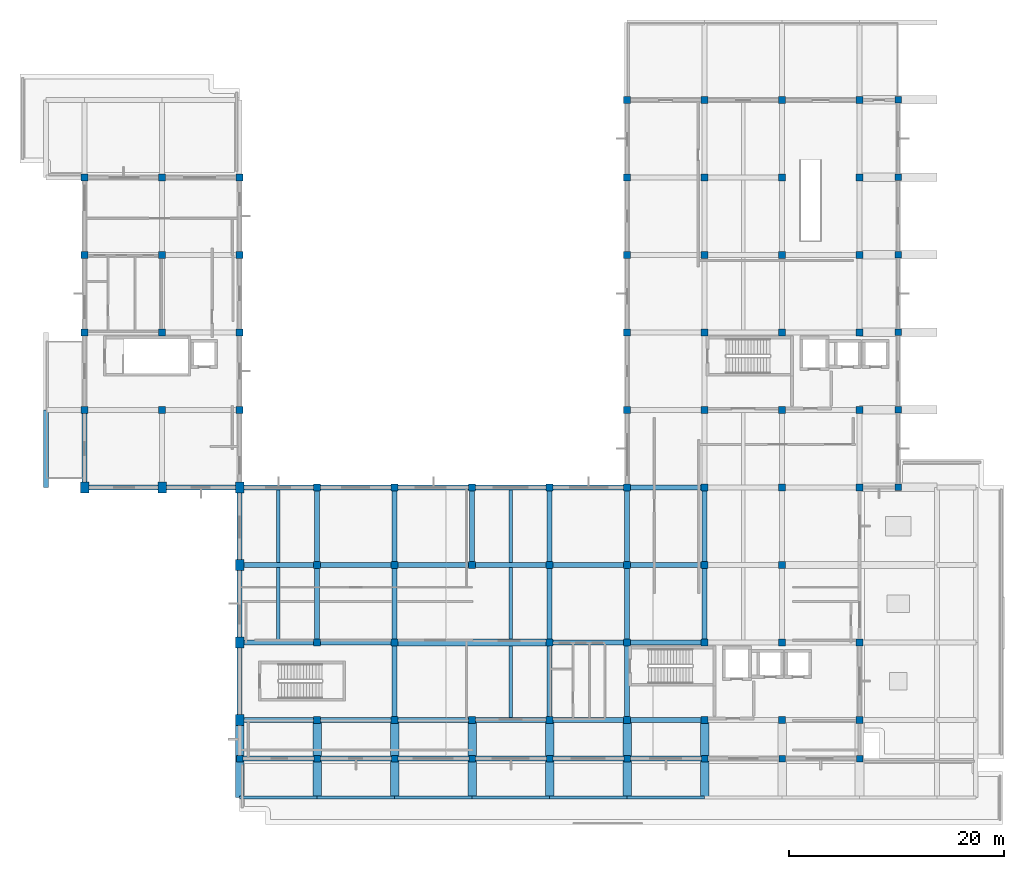
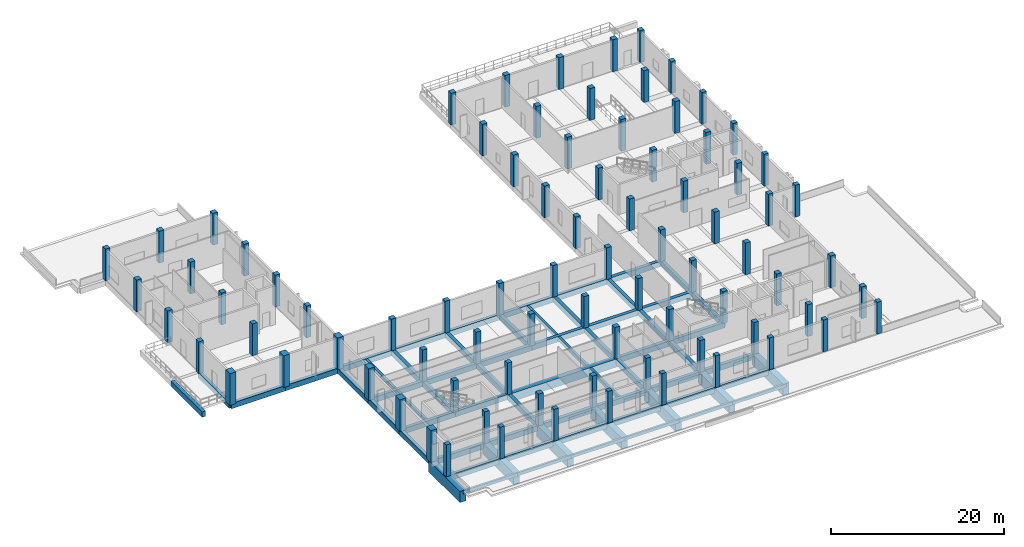
# One storey, part 1 of 16: 83 columns, 68 beams.
"""IFC4 building model written with IfcOpenShell, lengths in metres."""

from ifc_helpers import new_model, si_unit, direction, frame, origin, origin_2d, place, context, subcontext, project, spatial, rectangle, extrude, material, material_profile, profile_set, type_object, element, save


model = new_model("IFC4")

# Units and contexts
model_context = context("Model", 3, precision=1e-05, world=origin(), true_north=direction((0.0, 1.0)))
body_context = subcontext(model_context, "Body", "Model", "MODEL_VIEW")
ifc_project = project(units=[si_unit("LENGTHUNIT", "METRE"), si_unit("AREAUNIT", "SQUARE_METRE"), si_unit("VOLUMEUNIT", "CUBIC_METRE"), si_unit("PLANEANGLEUNIT", "RADIAN"), si_unit("MASSUNIT", "GRAM", prefix="KILO")], contexts=[model_context])

# Site, building, storey
site_placement = place(None, origin())
site = spatial("IfcSite", under=ifc_project, at=site_placement, CompositionType="ELEMENT")
building_placement = place(site_placement, origin())
building = spatial("IfcBuilding", under=site, at=building_placement, Name="Seraya Terrace Polytechnic", CompositionType="ELEMENT")
storey_placement = place(building_placement, frame((0.0, 0.0, 23.39990234375)))
storey = spatial("IfcBuildingStorey", under=building, at=storey_placement, Name="L05", CompositionType="ELEMENT", Elevation=23.39990234375)

# Columns
ifc_material = material(Name="Concrete C40/50", Category="concrete")
ifc_material_profile_1 = material_profile(ifc_material, rectangle(XDim=0.64990234375, YDim=0.64990234375, at=origin_2d()), Name="RC 650x650")
ifc_profile_set_1 = profile_set([ifc_material_profile_1], Name="Concrete C40/50")
column_type_1 = type_object("IfcColumnType", Name="C-08", PredefinedType="COLUMN", material=ifc_profile_set_1)
for number, where, z_axis, x_axis, name in (
    (1, (28.800048828125, 36.0, 0.0), (0.0, 0.0, 1.0), (1.0, 0.0, 0.0), "Column C-08 L05 (28.8, 36.0)"),
    (2, (28.800048828125, 43.199951171875, 0.0), (0.0, 0.0, 1.0), (1.0, 0.0, 0.0), "Column C-08 L05 (28.8, 43.2)"),
    (3, (28.800048828125, 50.39990234375, 0.0), (0.0, 0.0, 1.0), (1.0, 0.0, 0.0), "Column C-08 L05 (28.8, 50.4)"),
    (4, (28.800048828125, 57.60009765625, 0.0), (0.0, 0.0, 1.0), (1.0, 0.0, 0.0), "Column C-08 L05 (28.8, 57.6)"),
    (5, (36.0, 36.0, 0.0), (0.0, 0.0, 1.0), (1.0, 0.0, 0.0), "Column C-08 L05 (36.0, 36.0)"),
    (6, (36.0, 43.199951171875, 0.0), (0.0, 0.0, 1.0), (1.0, 0.0, 0.0), "Column C-08 L05 (36.0, 43.2)"),
    (7, (36.0, 50.39990234375, 0.0), (0.0, 0.0, 1.0), (1.0, 0.0, 0.0), "Column C-08 L05 (36.0, 50.4)"),
    (8, (36.0, 57.60009765625, 0.0), (0.0, 0.0, 1.0), (1.0, 0.0, 0.0), "Column C-08 L05 (36.0, 57.6)"),
    (9, (43.199951171875, 36.0, 0.0), (0.0, 0.0, 1.0), (1.0, 0.0, 0.0), "Column C-08 L05 (43.2, 36.0)"),
    (10, (43.199951171875, 43.199951171875, 0.0), (0.0, 0.0, 1.0), (1.0, 0.0, 0.0), "Column C-08 L05 (43.2, 43.2)"),
    (11, (43.199951171875, 50.39990234375, 0.0), (0.0, 0.0, 1.0), (1.0, 0.0, 0.0), "Column C-08 L05 (43.2, 50.4)"),
    (12, (43.199951171875, 57.60009765625, 0.0), (0.0, 0.0, 1.0), (1.0, 0.0, 0.0), "Column C-08 L05 (43.2, 57.6)"),
    (13, (50.39990234375, 7.199951171875, 0.0), (0.0, 0.0, 1.0), (1.0, 0.0, 0.0), "Column C-08 L05 (50.4, 7.2)"),
    (14, (50.39990234375, 14.39990234375, 0.0), (0.0, 0.0, 1.0), (1.0, 0.0, 0.0), "Column C-08 L05 (50.4, 14.4)"),
    (15, (50.39990234375, 21.60009765625, 0.0), (0.0, 0.0, 1.0), (1.0, 0.0, 0.0), "Column C-08 L05 (50.4, 21.6)"),
    (16, (50.39990234375, 28.800048828125, 0.0), (0.0, 0.0, 1.0), (1.0, 0.0, 0.0), "Column C-08 L05 (50.4, 28.8)"),
    (17, (57.60009765625, 7.199951171875, 0.0), (0.0, 0.0, 1.0), (1.0, 0.0, 0.0), "Column C-08 L05 (57.6, 7.2)"),
    (18, (57.60009765625, 14.39990234375, 0.0), (0.0, 0.0, 1.0), (1.0, 0.0, 0.0), "Column C-08 L05 (57.6, 14.4)"),
    (19, (57.60009765625, 21.60009765625, 0.0), (0.0, 0.0, 1.0), (1.0, 0.0, 0.0), "Column C-08 L05 (57.6, 21.6)"),
    (20, (57.60009765625, 28.800048828125, 0.0), (0.0, 0.0, 1.0), (1.0, 0.0, 0.0), "Column C-08 L05 (57.6, 28.8)"),
    (21, (64.800048828125, 7.199951171875, 0.0), (0.0, 0.0, 1.0), (1.0, 0.0, 0.0), "Column C-08 L05 (64.8, 7.2)"),
    (22, (64.800048828125, 21.60009765625, 0.0), (0.0, 0.0, 1.0), (1.0, 0.0, 0.0), "Column C-08 L05 (64.8, 21.6)"),
    (23, (64.800048828125, 28.800048828125, 0.0), (0.0, 0.0, 1.0), (1.0, 0.0, 0.0), "Column C-08 L05 (64.8, 28.8)"),
    (24, (72.0, 7.199951171875, 0.0), (0.0, 0.0, 1.0), (1.0, 0.0, 0.0), "Column C-08 L05 (72.0, 7.2)"),
    (25, (72.0, 14.39990234375, 0.0), (0.0, 0.0, 1.0), (1.0, 0.0, 0.0), "Column C-08 L05 (72.0, 14.4)"),
    (26, (72.0, 21.60009765625, 0.0), (0.0, 0.0, 1.0), (1.0, 0.0, 0.0), "Column C-08 L05 (72.0, 21.6)"),
    (27, (72.0, 28.800048828125, 0.0), (0.0, 0.0, 1.0), (1.0, 0.0, 0.0), "Column C-08 L05 (72.0, 28.8)"),
    (28, (79.199951171875, 7.199951171875, 0.0), (0.0, 0.0, 1.0), (1.0, 0.0, 0.0), "Column C-08 L05 (79.2, 7.2)"),
    (29, (79.199951171875, 14.39990234375, 0.0), (0.0, 0.0, 1.0), (1.0, 0.0, 0.0), "Column C-08 L05 (79.2, 14.4)"),
    (30, (79.199951171875, 21.60009765625, 0.0), (0.0, 0.0, 1.0), (1.0, 0.0, 0.0), "Column C-08 L05 (79.2, 21.6)"),
    (31, (79.199951171875, 28.800048828125, 0.0), (0.0, 0.0, 1.0), (1.0, 0.0, 0.0), "Column C-08 L05 (79.2, 28.8)"),
    (32, (79.199951171875, 36.0, 0.0), (0.0, 0.0, 1.0), (1.0, 0.0, 0.0), "Column C-08 L05 (79.2, 36.0)"),
    (33, (79.199951171875, 43.199951171875, 0.0), (0.0, 0.0, 1.0), (1.0, 0.0, 0.0), "Column C-08 L05 (79.2, 43.2)"),
    (34, (79.199951171875, 50.39990234375, 0.0), (0.0, 0.0, 1.0), (1.0, 0.0, 0.0), "Column C-08 L05 (79.2, 50.4)"),
    (35, (79.199951171875, 57.60009765625, 0.0), (0.0, 0.0, 1.0), (1.0, 0.0, 0.0), "Column C-08 L05 (79.2, 57.6)"),
    (36, (79.199951171875, 64.800048828125, 0.0), (0.0, 0.0, 1.0), (1.0, 0.0, 0.0), "Column C-08 L05 (79.2, 64.8)"),
    (37, (86.39990234375, 7.199951171875, 0.0), (0.0, 0.0, 1.0), (1.0, 0.0, 0.0), "Column C-08 L05 (86.4, 7.2)"),
    (38, (86.39990234375, 14.39990234375, 0.0), (0.0, 0.0, 1.0), (1.0, 0.0, 0.0), "Column C-08 L05 (86.4, 14.4)"),
    (39, (86.39990234375, 21.60009765625, 0.0), (0.0, 0.0, 1.0), (1.0, 0.0, 0.0), "Column C-08 L05 (86.4, 21.6)"),
    (40, (86.39990234375, 28.800048828125, 0.0), (0.0, 0.0, 1.0), (1.0, 0.0, 0.0), "Column C-08 L05 (86.4, 28.8)"),
    (41, (86.39990234375, 36.0, 0.0), (0.0, 0.0, 1.0), (1.0, 0.0, 0.0), "Column C-08 L05 (86.4, 36.0)"),
    (42, (86.39990234375, 43.199951171875, 0.0), (0.0, 0.0, 1.0), (1.0, 0.0, 0.0), "Column C-08 L05 (86.4, 43.2)"),
    (43, (86.39990234375, 50.39990234375, 0.0), (0.0, 0.0, 1.0), (1.0, 0.0, 0.0), "Column C-08 L05 (86.4, 50.4)"),
    (44, (86.39990234375, 57.60009765625, 0.0), (0.0, 0.0, 1.0), (1.0, 0.0, 0.0), "Column C-08 L05 (86.4, 57.6)"),
    (45, (86.39990234375, 64.800048828125, 0.0), (0.0, 0.0, 1.0), (1.0, 0.0, 0.0), "Column C-08 L05 (86.4, 64.8)"),
    (46, (93.60009765625, 7.199951171875, 0.0), (0.0, 0.0, 1.0), (1.0, 0.0, 0.0), "Column C-08 L05 (93.6, 7.2)"),
    (47, (93.60009765625, 14.39990234375, 0.0), (0.0, 0.0, 1.0), (1.0, 0.0, 0.0), "Column C-08 L05 (93.6, 14.4)"),
    (48, (93.60009765625, 21.60009765625, 0.0), (0.0, 0.0, 1.0), (1.0, 0.0, 0.0), "Column C-08 L05 (93.6, 21.6)"),
    (49, (93.60009765625, 28.800048828125, 0.0), (0.0, 0.0, 1.0), (1.0, 0.0, 0.0), "Column C-08 L05 (93.6, 28.8)"),
    (50, (93.60009765625, 36.0, 0.0), (0.0, 0.0, 1.0), (1.0, 0.0, 0.0), "Column C-08 L05 (93.6, 36.0)"),
    (51, (93.60009765625, 43.199951171875, 0.0), (0.0, 0.0, 1.0), (1.0, 0.0, 0.0), "Column C-08 L05 (93.6, 43.2)"),
    (52, (93.60009765625, 50.39990234375, 0.0), (0.0, 0.0, 1.0), (1.0, 0.0, 0.0), "Column C-08 L05 (93.6, 50.4)"),
    (53, (93.60009765625, 57.60009765625, 0.0), (0.0, 0.0, 1.0), (1.0, 0.0, 0.0), "Column C-08 L05 (93.6, 57.6)"),
    (54, (93.60009765625, 64.800048828125, 0.0), (0.0, 0.0, 1.0), (1.0, 0.0, 0.0), "Column C-08 L05 (93.6, 64.8)"),
    (55, (100.800048828125, 7.199951171875, 0.0), (0.0, 0.0, 1.0), (1.0, 0.0, 0.0), "Column C-08 L05 (100.8, 7.2)"),
    (56, (100.800048828125, 14.39990234375, 0.0), (0.0, 0.0, 1.0), (1.0, 0.0, 0.0), "Column C-08 L05 (100.8, 14.4)"),
    (57, (100.800048828125, 28.800048828125, 0.0), (0.0, 0.0, 1.0), (1.0, 0.0, 0.0), "Column C-08 L05 (100.8, 28.8)"),
    (58, (100.800048828125, 36.0, 0.0), (0.0, 0.0, 1.0), (1.0, 0.0, 0.0), "Column C-08 L05 (100.8, 36.0)"),
    (59, (100.800048828125, 43.199951171875, 0.0), (0.0, 0.0, 1.0), (1.0, 0.0, 0.0), "Column C-08 L05 (100.8, 43.2)"),
    (60, (100.800048828125, 50.39990234375, 0.0), (0.0, 0.0, 1.0), (1.0, 0.0, 0.0), "Column C-08 L05 (100.8, 50.4)"),
    (61, (100.800048828125, 57.60009765625, 0.0), (0.0, 0.0, 1.0), (1.0, 0.0, 0.0), "Column C-08 L05 (100.8, 57.6)"),
    (62, (100.800048828125, 64.800048828125, 0.0), (0.0, 0.0, 1.0), (1.0, 0.0, 0.0), "Column C-08 L05 (100.8, 64.8)"),
):
    element("IfcColumn", number, at=place(storey_placement, frame(where, z_axis=z_axis, x_axis=x_axis)), inside=storey, type_object=column_type_1, Name=name, PredefinedType="COLUMN", context=body_context, shape_type="SweptSolid", body=[
        extrude(rectangle(XDim=0.64990234375, YDim=0.64990234375, at=origin_2d()), origin(), (0.0, 0.0, 1.0), 4.5),
    ])
ifc_material_profile_2 = material_profile(ifc_material, rectangle(XDim=0.60009765625, YDim=0.60009765625, at=origin_2d()), Name="RC 600x600")
ifc_profile_set_2 = profile_set([ifc_material_profile_2], Name="Concrete C40/50")
column_type_2 = type_object("IfcColumnType", Name="C-09", PredefinedType="COLUMN", material=ifc_profile_set_2)
for number, where, z_axis, x_axis, name in (
    (63, (43.199951171875, 3.60009765625, 0.0), (0.0, 0.0, 1.0), (1.0, 0.0, 0.0), "Column C-09 L05 (43.2, 3.6)"),
    (64, (50.39990234375, 3.60009765625, 0.0), (0.0, 0.0, 1.0), (1.0, 0.0, 0.0), "Column C-09 L05 (50.4, 3.6)"),
    (65, (57.60009765625, 3.60009765625, 0.0), (0.0, 0.0, 1.0), (1.0, 0.0, 0.0), "Column C-09 L05 (57.6, 3.6)"),
    (66, (64.800048828125, 3.60009765625, 0.0), (0.0, 0.0, 1.0), (1.0, 0.0, 0.0), "Column C-09 L05 (64.8, 3.6)"),
    (67, (72.0, 3.60009765625, 0.0), (0.0, 0.0, 1.0), (1.0, 0.0, 0.0), "Column C-09 L05 (72.0, 3.6)"),
    (68, (79.199951171875, 3.60009765625, 0.0), (0.0, 0.0, 1.0), (1.0, 0.0, 0.0), "Column C-09 L05 (79.2, 3.6)"),
    (69, (86.39990234375, 3.60009765625, 0.0), (0.0, 0.0, 1.0), (1.0, 0.0, 0.0), "Column C-09 L05 (86.4, 3.6)"),
    (70, (93.60009765625, 3.60009765625, 0.0), (0.0, 0.0, 1.0), (1.0, 0.0, 0.0), "Column C-09 L05 (93.6, 3.6)"),
    (71, (100.800048828125, 3.60009765625, 0.0), (0.0, 0.0, 1.0), (1.0, 0.0, 0.0), "Column C-09 L05 (100.8, 3.6)"),
    (72, (104.39990234375, 28.800048828125, 0.0), (0.0, 0.0, 1.0), (1.0, 0.0, 0.0), "Column C-09 L05 (104.4, 28.8)"),
    (73, (104.39990234375, 36.0, 0.0), (0.0, 0.0, 1.0), (1.0, 0.0, 0.0), "Column C-09 L05 (104.4, 36.0)"),
    (74, (104.39990234375, 43.199951171875, 0.0), (0.0, 0.0, 1.0), (1.0, 0.0, 0.0), "Column C-09 L05 (104.4, 43.2)"),
    (75, (104.39990234375, 50.39990234375, 0.0), (0.0, 0.0, 1.0), (1.0, 0.0, 0.0), "Column C-09 L05 (104.4, 50.4)"),
    (76, (104.39990234375, 57.60009765625, 0.0), (0.0, 0.0, 1.0), (1.0, 0.0, 0.0), "Column C-09 L05 (104.4, 57.6)"),
    (77, (104.39990234375, 64.800048828125, 0.0), (0.0, 0.0, 1.0), (1.0, 0.0, 0.0), "Column C-09 L05 (104.4, 64.8)"),
):
    element("IfcColumn", number, at=place(storey_placement, frame(where, z_axis=z_axis, x_axis=x_axis)), inside=storey, type_object=column_type_2, Name=name, PredefinedType="COLUMN", context=body_context, shape_type="SweptSolid", body=[
        extrude(rectangle(XDim=0.60009765625, YDim=0.60009765625, at=origin_2d()), origin(), (0.0, 0.0, 1.0), 4.5),
    ])
ifc_material_profile_3 = material_profile(ifc_material, rectangle(XDim=0.800048828125, YDim=1.0, at=origin_2d()), Name="RC 800x1000")
ifc_profile_set_3 = profile_set([ifc_material_profile_3], Name="Concrete C40/50")
column_type_3 = type_object("IfcColumnType", Name="C-14", PredefinedType="COLUMN", material=ifc_profile_set_3)
for number, where, z_axis, x_axis, name in (
    (78, (28.800048828125, 28.800048828125, 0.0), (0.0, 0.0, 1.0), (1.0, 0.0, 0.0), "Column C-14 L05 (28.8, 28.8)"),
    (79, (36.0, 28.800048828125, 0.0), (0.0, 0.0, 1.0), (1.0, 0.0, 0.0), "Column C-14 L05 (36.0, 28.8)"),
    (80, (43.199951171875, 7.199951171875, 0.0), (0.0, 0.0, 1.0), (1.0, 0.0, 0.0), "Column C-14 L05 (43.2, 7.2)"),
    (81, (43.199951171875, 14.39990234375, 0.0), (0.0, 0.0, 1.0), (1.0, 0.0, 0.0), "Column C-14 L05 (43.2, 14.4)"),
    (82, (43.199951171875, 21.60009765625, 0.0), (0.0, 0.0, 1.0), (1.0, 0.0, 0.0), "Column C-14 L05 (43.2, 21.6)"),
    (83, (43.199951171875, 28.800048828125, 0.0), (0.0, 0.0, 1.0), (1.0, 0.0, 0.0), "Column C-14 L05 (43.2, 28.8)"),
):
    element("IfcColumn", number, at=place(storey_placement, frame(where, z_axis=z_axis, x_axis=x_axis)), inside=storey, type_object=column_type_3, Name=name, PredefinedType="COLUMN", context=body_context, shape_type="SweptSolid", body=[
        extrude(rectangle(XDim=0.800048828125, YDim=1.0, at=origin_2d()), origin(), (0.0, 0.0, 1.0), 4.5),
    ])

# Beams
ifc_material_profile_4 = material_profile(ifc_material, rectangle(XDim=0.64990234375, YDim=1.14990234375, at=origin_2d()), Name="RC 650x1150")
ifc_profile_set_4 = profile_set([ifc_material_profile_4], Name="Concrete C40/50")
beam_type_1 = type_object("IfcBeamType", Name="BG-02", PredefinedType="USERDEFINED", material=ifc_profile_set_4)
beam_1_placement = place(storey_placement, frame((57.60009765625, 14.39990234375, -0.574951171875), z_axis=(1.0, 0.0, 0.0), x_axis=(0.0, 1.0, 0.0)))
element("IfcBeam", 84, at=beam_1_placement, inside=storey, type_object=beam_type_1, Name="Beam BG-02 L05 X (57.6..72.0, 14.4)", ObjectType="GIRDER", PredefinedType="USERDEFINED", context=body_context, shape_type="SweptSolid", body=[
    extrude(rectangle(XDim=0.64990234375, YDim=1.14990234375, at=origin_2d()), origin(), (0.0, 0.0, 1.0), 14.39990234375),
])
ifc_material_profile_5 = material_profile(ifc_material, rectangle(XDim=0.449951171875, YDim=0.75, at=origin_2d()), Name="RC 450x750")
ifc_profile_set_5 = profile_set([ifc_material_profile_5], Name="Concrete C40/50")
beam_type_2 = type_object("IfcBeamType", Name="BM-08", PredefinedType="BEAM", material=ifc_profile_set_5)
beam_2_placement = place(storey_placement, frame((43.199951171875, 3.60009765625, -0.375), z_axis=(1.0, 0.0, 0.0), x_axis=(0.0, 1.0, 0.0)))
element("IfcBeam", 85, at=beam_2_placement, inside=storey, type_object=beam_type_2, Name="Beam BM-08 L05 X (43.2..50.4, 3.6)", PredefinedType="BEAM", context=body_context, shape_type="SweptSolid", body=[
    extrude(rectangle(XDim=0.449951171875, YDim=0.75, at=origin_2d()), origin(), (0.0, 0.0, 1.0), 7.199951171875),
])
beam_3_placement = place(storey_placement, frame((50.39990234375, 3.60009765625, -0.375), z_axis=(1.0, 0.0, 0.0), x_axis=(0.0, 1.0, 0.0)))
element("IfcBeam", 86, at=beam_3_placement, inside=storey, type_object=beam_type_2, Name="Beam BM-08 L05 X (50.4..57.6, 3.6)", PredefinedType="BEAM", context=body_context, shape_type="SweptSolid", body=[
    extrude(rectangle(XDim=0.449951171875, YDim=0.75, at=origin_2d()), origin(), (0.0, 0.0, 1.0), 7.2001953125),
])
for number, where, z_axis, x_axis, name in (
    (87, (57.60009765625, 3.60009765625, -0.375), (1.0, 0.0, 0.0), (0.0, 1.0, 0.0), "Beam BM-08 L05 X (57.6..64.8, 3.6)"),
    (88, (64.800048828125, 3.60009765625, -0.375), (1.0, 0.0, 0.0), (0.0, 1.0, 0.0), "Beam BM-08 L05 X (64.8..72.0, 3.6)"),
    (89, (72.0, 3.60009765625, -0.375), (1.0, 0.0, 0.0), (0.0, 1.0, 0.0), "Beam BM-08 L05 X (72.0..79.2, 3.6)"),
    (90, (79.199951171875, 3.60009765625, -0.375), (1.0, 0.0, 0.0), (0.0, 1.0, 0.0), "Beam BM-08 L05 X (79.2..86.4, 3.6)"),
    (91, (43.199951171875, 7.199951171875, -0.375), (1.0, 0.0, 0.0), (0.0, 1.0, 0.0), "Beam BM-08 L05 X (43.2..50.4, 7.2)"),
):
    element("IfcBeam", number, at=place(storey_placement, frame(where, z_axis=z_axis, x_axis=x_axis)), inside=storey, type_object=beam_type_2, Name=name, PredefinedType="BEAM", context=body_context, shape_type="SweptSolid", body=[
        extrude(rectangle(XDim=0.449951171875, YDim=0.75, at=origin_2d()), origin(), (0.0, 0.0, 1.0), 7.199951171875),
    ])
beam_4_placement = place(storey_placement, frame((50.39990234375, 7.199951171875, -0.375), z_axis=(1.0, 0.0, 0.0), x_axis=(0.0, 1.0, 0.0)))
element("IfcBeam", 92, at=beam_4_placement, inside=storey, type_object=beam_type_2, Name="Beam BM-08 L05 X (50.4..57.6, 7.2)", PredefinedType="BEAM", context=body_context, shape_type="SweptSolid", body=[
    extrude(rectangle(XDim=0.449951171875, YDim=0.75, at=origin_2d()), origin(), (0.0, 0.0, 1.0), 7.2001953125),
])
for number, where, z_axis, x_axis, name in (
    (93, (57.60009765625, 7.199951171875, -0.375), (1.0, 0.0, 0.0), (0.0, 1.0, 0.0), "Beam BM-08 L05 X (57.6..64.8, 7.2)"),
    (94, (64.800048828125, 7.199951171875, -0.375), (1.0, 0.0, 0.0), (0.0, 1.0, 0.0), "Beam BM-08 L05 X (64.8..72.0, 7.2)"),
    (95, (72.0, 7.199951171875, -0.375), (1.0, 0.0, 0.0), (0.0, 1.0, 0.0), "Beam BM-08 L05 X (72.0..79.2, 7.2)"),
    (96, (79.199951171875, 7.199951171875, -0.375), (1.0, 0.0, 0.0), (0.0, 1.0, 0.0), "Beam BM-08 L05 X (79.2..86.4, 7.2)"),
    (97, (43.199951171875, 14.39990234375, -0.375), (1.0, 0.0, 0.0), (0.0, 1.0, 0.0), "Beam BM-08 L05 X (43.2..50.4, 14.4)"),
):
    element("IfcBeam", number, at=place(storey_placement, frame(where, z_axis=z_axis, x_axis=x_axis)), inside=storey, type_object=beam_type_2, Name=name, PredefinedType="BEAM", context=body_context, shape_type="SweptSolid", body=[
        extrude(rectangle(XDim=0.449951171875, YDim=0.75, at=origin_2d()), origin(), (0.0, 0.0, 1.0), 7.199951171875),
    ])
beam_5_placement = place(storey_placement, frame((50.39990234375, 14.39990234375, -0.375), z_axis=(1.0, 0.0, 0.0), x_axis=(0.0, 1.0, 0.0)))
element("IfcBeam", 98, at=beam_5_placement, inside=storey, type_object=beam_type_2, Name="Beam BM-08 L05 X (50.4..57.6, 14.4)", PredefinedType="BEAM", context=body_context, shape_type="SweptSolid", body=[
    extrude(rectangle(XDim=0.449951171875, YDim=0.75, at=origin_2d()), origin(), (0.0, 0.0, 1.0), 7.2001953125),
])
for number, where, z_axis, x_axis, name in (
    (99, (72.0, 14.39990234375, -0.375), (1.0, 0.0, 0.0), (0.0, 1.0, 0.0), "Beam BM-08 L05 X (72.0..79.2, 14.4)"),
    (100, (79.199951171875, 14.39990234375, -0.375), (1.0, 0.0, 0.0), (0.0, 1.0, 0.0), "Beam BM-08 L05 X (79.2..86.4, 14.4)"),
    (101, (43.199951171875, 21.60009765625, -0.375), (1.0, 0.0, 0.0), (0.0, 1.0, 0.0), "Beam BM-08 L05 X (43.2..50.4, 21.6)"),
):
    element("IfcBeam", number, at=place(storey_placement, frame(where, z_axis=z_axis, x_axis=x_axis)), inside=storey, type_object=beam_type_2, Name=name, PredefinedType="BEAM", context=body_context, shape_type="SweptSolid", body=[
        extrude(rectangle(XDim=0.449951171875, YDim=0.75, at=origin_2d()), origin(), (0.0, 0.0, 1.0), 7.199951171875),
    ])
beam_6_placement = place(storey_placement, frame((50.39990234375, 21.60009765625, -0.375), z_axis=(1.0, 0.0, 0.0), x_axis=(0.0, 1.0, 0.0)))
element("IfcBeam", 102, at=beam_6_placement, inside=storey, type_object=beam_type_2, Name="Beam BM-08 L05 X (50.4..57.6, 21.6)", PredefinedType="BEAM", context=body_context, shape_type="SweptSolid", body=[
    extrude(rectangle(XDim=0.449951171875, YDim=0.75, at=origin_2d()), origin(), (0.0, 0.0, 1.0), 7.2001953125),
])
for number, where, z_axis, x_axis, name in (
    (103, (57.60009765625, 21.60009765625, -0.375), (1.0, 0.0, 0.0), (0.0, 1.0, 0.0), "Beam BM-08 L05 X (57.6..64.8, 21.6)"),
    (104, (64.800048828125, 21.60009765625, -0.375), (1.0, 0.0, 0.0), (0.0, 1.0, 0.0), "Beam BM-08 L05 X (64.8..72.0, 21.6)"),
    (105, (72.0, 21.60009765625, -0.375), (1.0, 0.0, 0.0), (0.0, 1.0, 0.0), "Beam BM-08 L05 X (72.0..79.2, 21.6)"),
    (106, (79.199951171875, 21.60009765625, -0.375), (1.0, 0.0, 0.0), (0.0, 1.0, 0.0), "Beam BM-08 L05 X (79.2..86.4, 21.6)"),
    (107, (28.800048828125, 28.800048828125, -0.375), (1.0, 0.0, 0.0), (0.0, 1.0, 0.0), "Beam BM-08 L05 X (28.8..36.0, 28.8)"),
    (108, (36.0, 28.800048828125, -0.375), (1.0, 0.0, 0.0), (0.0, 1.0, 0.0), "Beam BM-08 L05 X (36.0..43.2, 28.8)"),
    (109, (43.199951171875, 28.800048828125, -0.375), (1.0, 0.0, 0.0), (0.0, 1.0, 0.0), "Beam BM-08 L05 X (43.2..50.4, 28.8)"),
):
    element("IfcBeam", number, at=place(storey_placement, frame(where, z_axis=z_axis, x_axis=x_axis)), inside=storey, type_object=beam_type_2, Name=name, PredefinedType="BEAM", context=body_context, shape_type="SweptSolid", body=[
        extrude(rectangle(XDim=0.449951171875, YDim=0.75, at=origin_2d()), origin(), (0.0, 0.0, 1.0), 7.199951171875),
    ])
beam_7_placement = place(storey_placement, frame((50.39990234375, 28.800048828125, -0.375), z_axis=(1.0, 0.0, 0.0), x_axis=(0.0, 1.0, 0.0)))
element("IfcBeam", 110, at=beam_7_placement, inside=storey, type_object=beam_type_2, Name="Beam BM-08 L05 X (50.4..57.6, 28.8)", PredefinedType="BEAM", context=body_context, shape_type="SweptSolid", body=[
    extrude(rectangle(XDim=0.449951171875, YDim=0.75, at=origin_2d()), origin(), (0.0, 0.0, 1.0), 7.2001953125),
])
for number, where, z_axis, x_axis, name in (
    (111, (57.60009765625, 28.800048828125, -0.375), (1.0, 0.0, 0.0), (0.0, 1.0, 0.0), "Beam BM-08 L05 X (57.6..64.8, 28.8)"),
    (112, (64.800048828125, 28.800048828125, -0.375), (1.0, 0.0, 0.0), (0.0, 1.0, 0.0), "Beam BM-08 L05 X (64.8..72.0, 28.8)"),
    (113, (72.0, 28.800048828125, -0.375), (1.0, 0.0, 0.0), (0.0, 1.0, 0.0), "Beam BM-08 L05 X (72.0..79.2, 28.8)"),
    (114, (79.199951171875, 28.800048828125, -0.375), (1.0, 0.0, 0.0), (0.0, 1.0, 0.0), "Beam BM-08 L05 X (79.2..86.4, 28.8)"),
    (115, (25.199951171875, 28.800048828125, -0.375), (0.0, 1.0, 0.0), (-1.0, 0.0, 0.0), "Beam BM-08 L05 Y (25.2, 28.8..36.0)"),
    (116, (28.800048828125, 28.800048828125, -0.375), (0.0, 1.0, 0.0), (-1.0, 0.0, 0.0), "Beam BM-08 L05 Y (28.8, 28.8..36.0)"),
    (117, (43.199951171875, 7.199951171875, -0.375), (0.0, 1.0, 0.0), (-1.0, 0.0, 0.0), "Beam BM-08 L05 Y (43.2, 7.2..14.4)"),
):
    element("IfcBeam", number, at=place(storey_placement, frame(where, z_axis=z_axis, x_axis=x_axis)), inside=storey, type_object=beam_type_2, Name=name, PredefinedType="BEAM", context=body_context, shape_type="SweptSolid", body=[
        extrude(rectangle(XDim=0.449951171875, YDim=0.75, at=origin_2d()), origin(), (0.0, 0.0, 1.0), 7.199951171875),
    ])
beam_8_placement = place(storey_placement, frame((43.199951171875, 14.39990234375, -0.375), z_axis=(0.0, 1.0, 0.0), x_axis=(-1.0, 0.0, 0.0)))
element("IfcBeam", 118, at=beam_8_placement, inside=storey, type_object=beam_type_2, Name="Beam BM-08 L05 Y (43.2, 14.4..21.6)", PredefinedType="BEAM", context=body_context, shape_type="SweptSolid", body=[
    extrude(rectangle(XDim=0.449951171875, YDim=0.75, at=origin_2d()), origin(), (0.0, 0.0, 1.0), 7.2001953125),
])
beam_9_placement = place(storey_placement, frame((43.199951171875, 21.60009765625, -0.375), z_axis=(0.0, 1.0, 0.0), x_axis=(-1.0, 0.0, 0.0)))
element("IfcBeam", 119, at=beam_9_placement, inside=storey, type_object=beam_type_2, Name="Beam BM-08 L05 Y (43.2, 21.6..28.8)", PredefinedType="BEAM", context=body_context, shape_type="SweptSolid", body=[
    extrude(rectangle(XDim=0.449951171875, YDim=0.75, at=origin_2d()), origin(), (0.0, 0.0, 1.0), 7.199951171875),
])
beam_10_placement = place(storey_placement, frame((50.39990234375, 14.39990234375, -0.375), z_axis=(0.0, 1.0, 0.0), x_axis=(-1.0, 0.0, 0.0)))
element("IfcBeam", 120, at=beam_10_placement, inside=storey, type_object=beam_type_2, Name="Beam BM-08 L05 Y (50.4, 14.4..21.6)", PredefinedType="BEAM", context=body_context, shape_type="SweptSolid", body=[
    extrude(rectangle(XDim=0.449951171875, YDim=0.75, at=origin_2d()), origin(), (0.0, 0.0, 1.0), 7.2001953125),
])
for number, where, z_axis, x_axis, name in (
    (121, (50.39990234375, 21.60009765625, -0.375), (0.0, 1.0, 0.0), (-1.0, 0.0, 0.0), "Beam BM-08 L05 Y (50.4, 21.6..28.8)"),
    (122, (57.60009765625, 7.199951171875, -0.375), (0.0, 1.0, 0.0), (-1.0, 0.0, 0.0), "Beam BM-08 L05 Y (57.6, 7.2..14.4)"),
):
    element("IfcBeam", number, at=place(storey_placement, frame(where, z_axis=z_axis, x_axis=x_axis)), inside=storey, type_object=beam_type_2, Name=name, PredefinedType="BEAM", context=body_context, shape_type="SweptSolid", body=[
        extrude(rectangle(XDim=0.449951171875, YDim=0.75, at=origin_2d()), origin(), (0.0, 0.0, 1.0), 7.199951171875),
    ])
beam_11_placement = place(storey_placement, frame((57.60009765625, 14.39990234375, -0.375), z_axis=(0.0, 1.0, 0.0), x_axis=(-1.0, 0.0, 0.0)))
element("IfcBeam", 123, at=beam_11_placement, inside=storey, type_object=beam_type_2, Name="Beam BM-08 L05 Y (57.6, 14.4..21.6)", PredefinedType="BEAM", context=body_context, shape_type="SweptSolid", body=[
    extrude(rectangle(XDim=0.449951171875, YDim=0.75, at=origin_2d()), origin(), (0.0, 0.0, 1.0), 7.2001953125),
])
for number, where, z_axis, x_axis, name in (
    (124, (57.60009765625, 21.60009765625, -0.375), (0.0, 1.0, 0.0), (-1.0, 0.0, 0.0), "Beam BM-08 L05 Y (57.6, 21.6..28.8)"),
    (125, (64.800048828125, 21.60009765625, -0.375), (0.0, 1.0, 0.0), (-1.0, 0.0, 0.0), "Beam BM-08 L05 Y (64.8, 21.6..28.8)"),
    (126, (72.0, 7.199951171875, -0.375), (0.0, 1.0, 0.0), (-1.0, 0.0, 0.0), "Beam BM-08 L05 Y (72.0, 7.2..14.4)"),
):
    element("IfcBeam", number, at=place(storey_placement, frame(where, z_axis=z_axis, x_axis=x_axis)), inside=storey, type_object=beam_type_2, Name=name, PredefinedType="BEAM", context=body_context, shape_type="SweptSolid", body=[
        extrude(rectangle(XDim=0.449951171875, YDim=0.75, at=origin_2d()), origin(), (0.0, 0.0, 1.0), 7.199951171875),
    ])
beam_12_placement = place(storey_placement, frame((72.0, 14.39990234375, -0.375), z_axis=(0.0, 1.0, 0.0), x_axis=(-1.0, 0.0, 0.0)))
element("IfcBeam", 127, at=beam_12_placement, inside=storey, type_object=beam_type_2, Name="Beam BM-08 L05 Y (72.0, 14.4..21.6)", PredefinedType="BEAM", context=body_context, shape_type="SweptSolid", body=[
    extrude(rectangle(XDim=0.449951171875, YDim=0.75, at=origin_2d()), origin(), (0.0, 0.0, 1.0), 7.2001953125),
])
for number, where, z_axis, x_axis, name in (
    (128, (72.0, 21.60009765625, -0.375), (0.0, 1.0, 0.0), (-1.0, 0.0, 0.0), "Beam BM-08 L05 Y (72.0, 21.6..28.8)"),
    (129, (79.199951171875, 7.199951171875, -0.375), (0.0, 1.0, 0.0), (-1.0, 0.0, 0.0), "Beam BM-08 L05 Y (79.2, 7.2..14.4)"),
):
    element("IfcBeam", number, at=place(storey_placement, frame(where, z_axis=z_axis, x_axis=x_axis)), inside=storey, type_object=beam_type_2, Name=name, PredefinedType="BEAM", context=body_context, shape_type="SweptSolid", body=[
        extrude(rectangle(XDim=0.449951171875, YDim=0.75, at=origin_2d()), origin(), (0.0, 0.0, 1.0), 7.199951171875),
    ])
beam_13_placement = place(storey_placement, frame((79.199951171875, 14.39990234375, -0.375), z_axis=(0.0, 1.0, 0.0), x_axis=(-1.0, 0.0, 0.0)))
element("IfcBeam", 130, at=beam_13_placement, inside=storey, type_object=beam_type_2, Name="Beam BM-08 L05 Y (79.2, 14.4..21.6)", PredefinedType="BEAM", context=body_context, shape_type="SweptSolid", body=[
    extrude(rectangle(XDim=0.449951171875, YDim=0.75, at=origin_2d()), origin(), (0.0, 0.0, 1.0), 7.2001953125),
])
beam_14_placement = place(storey_placement, frame((79.199951171875, 21.60009765625, -0.375), z_axis=(0.0, 1.0, 0.0), x_axis=(-1.0, 0.0, 0.0)))
element("IfcBeam", 131, at=beam_14_placement, inside=storey, type_object=beam_type_2, Name="Beam BM-08 L05 Y (79.2, 21.6..28.8)", PredefinedType="BEAM", context=body_context, shape_type="SweptSolid", body=[
    extrude(rectangle(XDim=0.449951171875, YDim=0.75, at=origin_2d()), origin(), (0.0, 0.0, 1.0), 7.199951171875),
])
beam_15_placement = place(storey_placement, frame((86.39990234375, 14.39990234375, -0.375), z_axis=(0.0, 1.0, 0.0), x_axis=(-1.0, 0.0, 0.0)))
element("IfcBeam", 132, at=beam_15_placement, inside=storey, type_object=beam_type_2, Name="Beam BM-08 L05 Y (86.4, 14.4..21.6)", PredefinedType="BEAM", context=body_context, shape_type="SweptSolid", body=[
    extrude(rectangle(XDim=0.449951171875, YDim=0.75, at=origin_2d()), origin(), (0.0, 0.0, 1.0), 7.2001953125),
])
beam_16_placement = place(storey_placement, frame((86.39990234375, 21.60009765625, -0.375), z_axis=(0.0, 1.0, 0.0), x_axis=(-1.0, 0.0, 0.0)))
element("IfcBeam", 133, at=beam_16_placement, inside=storey, type_object=beam_type_2, Name="Beam BM-08 L05 Y (86.4, 21.6..28.8)", PredefinedType="BEAM", context=body_context, shape_type="SweptSolid", body=[
    extrude(rectangle(XDim=0.449951171875, YDim=0.75, at=origin_2d()), origin(), (0.0, 0.0, 1.0), 7.199951171875),
])
ifc_material_profile_6 = material_profile(ifc_material, rectangle(XDim=0.320068359375, YDim=0.5400390625, at=origin_2d()), Name="RC 320x540")
ifc_profile_set_6 = profile_set([ifc_material_profile_6], Name="Concrete C40/50")
beam_type_3 = type_object("IfcBeamType", Name="JS-04", PredefinedType="JOIST", material=ifc_profile_set_6)
for number, where, z_axis, x_axis, name in (
    (134, (46.800048828125, 14.625, -0.27001953125), (0.0, 1.0, 0.0), (-1.0, 0.0, 0.0), "Secondary joist JS-04 L05"),
    (135, (46.800048828125, 21.824951171875, -0.27001953125), (0.0, 1.0, 0.0), (-1.0, 0.0, 0.0), "Secondary joist JS-04 L05"),
):
    element("IfcBeam", number, at=place(storey_placement, frame(where, z_axis=z_axis, x_axis=x_axis)), inside=storey, type_object=beam_type_3, Name=name, PredefinedType="JOIST", context=body_context, shape_type="SweptSolid", body=[
        extrude(rectangle(XDim=0.320068359375, YDim=0.5400390625, at=origin_2d()), origin(), (0.0, 0.0, 1.0), 6.75),
    ])
for number, where, z_axis, x_axis, name in (
    (136, (68.39990234375, 7.425048828125, -0.27001953125), (0.0, 1.0, 0.0), (-1.0, 0.0, 0.0), "Secondary joist JS-04 L05"),
    (137, (68.39990234375, 14.72509765625, -0.27001953125), (0.0, 1.0, 0.0), (-1.0, 0.0, 0.0), "Secondary joist JS-04 L05"),
):
    element("IfcBeam", number, at=place(storey_placement, frame(where, z_axis=z_axis, x_axis=x_axis)), inside=storey, type_object=beam_type_3, Name=name, PredefinedType="JOIST", context=body_context, shape_type="SweptSolid", body=[
        extrude(rectangle(XDim=0.320068359375, YDim=0.5400390625, at=origin_2d()), origin(), (0.0, 0.0, 1.0), 6.64990234375),
    ])
beam_17_placement = place(storey_placement, frame((68.39990234375, 21.824951171875, -0.27001953125), z_axis=(0.0, 1.0, 0.0), x_axis=(-1.0, 0.0, 0.0)))
element("IfcBeam", 138, at=beam_17_placement, inside=storey, type_object=beam_type_3, Name="Secondary joist JS-04 L05", PredefinedType="JOIST", context=body_context, shape_type="SweptSolid", body=[
    extrude(rectangle(XDim=0.320068359375, YDim=0.5400390625, at=origin_2d()), origin(), (0.0, 0.0, 1.0), 6.75),
])
ifc_material_profile_7 = material_profile(ifc_material, rectangle(XDim=0.260009765625, YDim=0.43994140625, at=origin_2d()), Name="RC 260x440")
ifc_profile_set_7 = profile_set([ifc_material_profile_7], Name="Concrete C40/50")
beam_type_4 = type_object("IfcBeamType", Name="SP-02", PredefinedType="SPANDREL", material=ifc_profile_set_7)
beam_18_placement = place(storey_placement, frame((43.199951171875, 0.0, -0.219970703125), z_axis=(1.0, 0.0, 0.0), x_axis=(0.0, 1.0, 0.0)))
element("IfcBeam", 139, at=beam_18_placement, inside=storey, type_object=beam_type_4, Name="Beam SP-02 L05 X (43.2..50.4, 0.0)", PredefinedType="SPANDREL", context=body_context, shape_type="SweptSolid", body=[
    extrude(rectangle(XDim=0.260009765625, YDim=0.43994140625, at=origin_2d()), origin(), (0.0, 0.0, 1.0), 7.199951171875),
])
beam_19_placement = place(storey_placement, frame((50.39990234375, 0.0, -0.219970703125), z_axis=(1.0, 0.0, 0.0), x_axis=(0.0, 1.0, 0.0)))
element("IfcBeam", 140, at=beam_19_placement, inside=storey, type_object=beam_type_4, Name="Beam SP-02 L05 X (50.4..57.6, 0.0)", PredefinedType="SPANDREL", context=body_context, shape_type="SweptSolid", body=[
    extrude(rectangle(XDim=0.260009765625, YDim=0.43994140625, at=origin_2d()), origin(), (0.0, 0.0, 1.0), 7.2001953125),
])
for number, where, z_axis, x_axis, name in (
    (141, (57.60009765625, 0.0, -0.219970703125), (1.0, 0.0, 0.0), (0.0, 1.0, 0.0), "Beam SP-02 L05 X (57.6..64.8, 0.0)"),
    (142, (64.800048828125, 0.0, -0.219970703125), (1.0, 0.0, 0.0), (0.0, 1.0, 0.0), "Beam SP-02 L05 X (64.8..72.0, 0.0)"),
    (143, (72.0, 0.0, -0.219970703125), (1.0, 0.0, 0.0), (0.0, 1.0, 0.0), "Beam SP-02 L05 X (72.0..79.2, 0.0)"),
    (144, (79.199951171875, 0.0, -0.219970703125), (1.0, 0.0, 0.0), (0.0, 1.0, 0.0), "Beam SP-02 L05 X (79.2..86.4, 0.0)"),
):
    element("IfcBeam", number, at=place(storey_placement, frame(where, z_axis=z_axis, x_axis=x_axis)), inside=storey, type_object=beam_type_4, Name=name, PredefinedType="SPANDREL", context=body_context, shape_type="SweptSolid", body=[
        extrude(rectangle(XDim=0.260009765625, YDim=0.43994140625, at=origin_2d()), origin(), (0.0, 0.0, 1.0), 7.199951171875),
    ])
ifc_material_profile_8 = material_profile(ifc_material, rectangle(XDim=0.800048828125, YDim=1.60009765625, at=origin_2d()), Name="RC 800x1600")
ifc_profile_set_8 = profile_set([ifc_material_profile_8], Name="Concrete C40/50")
beam_type_5 = type_object("IfcBeamType", Name="TG-03", PredefinedType="USERDEFINED", material=ifc_profile_set_8)
for number, where, z_axis, x_axis, name in (
    (145, (43.199951171875, 0.0, -0.7998046875), (0.0, 1.0, 0.0), (-1.0, 0.0, 0.0), "Transfer girder TG-03 L05 #39"),
    (146, (50.39990234375, 0.0, -0.7998046875), (0.0, 1.0, 0.0), (-1.0, 0.0, 0.0), "Transfer girder TG-03 L05 #40"),
    (147, (57.60009765625, 0.0, -0.7998046875), (0.0, 1.0, 0.0), (-1.0, 0.0, 0.0), "Transfer girder TG-03 L05 #41"),
    (148, (64.800048828125, 0.0, -0.7998046875), (0.0, 1.0, 0.0), (-1.0, 0.0, 0.0), "Transfer girder TG-03 L05 #42"),
    (149, (72.0, 0.0, -0.7998046875), (0.0, 1.0, 0.0), (-1.0, 0.0, 0.0), "Transfer girder TG-03 L05 #43"),
    (150, (79.199951171875, 0.0, -0.7998046875), (0.0, 1.0, 0.0), (-1.0, 0.0, 0.0), "Transfer girder TG-03 L05 #44"),
    (151, (86.39990234375, 0.0, -0.7998046875), (0.0, 1.0, 0.0), (-1.0, 0.0, 0.0), "Transfer girder TG-03 L05 #45"),
):
    element("IfcBeam", number, at=place(storey_placement, frame(where, z_axis=z_axis, x_axis=x_axis)), inside=storey, type_object=beam_type_5, Name=name, ObjectType="GIRDER", PredefinedType="USERDEFINED", context=body_context, shape_type="SweptSolid", body=[
        extrude(rectangle(XDim=0.800048828125, YDim=1.60009765625, at=origin_2d()), origin(), (0.0, 0.0, 1.0), 7.199951171875),
    ])

save(model, "model.ifc")
